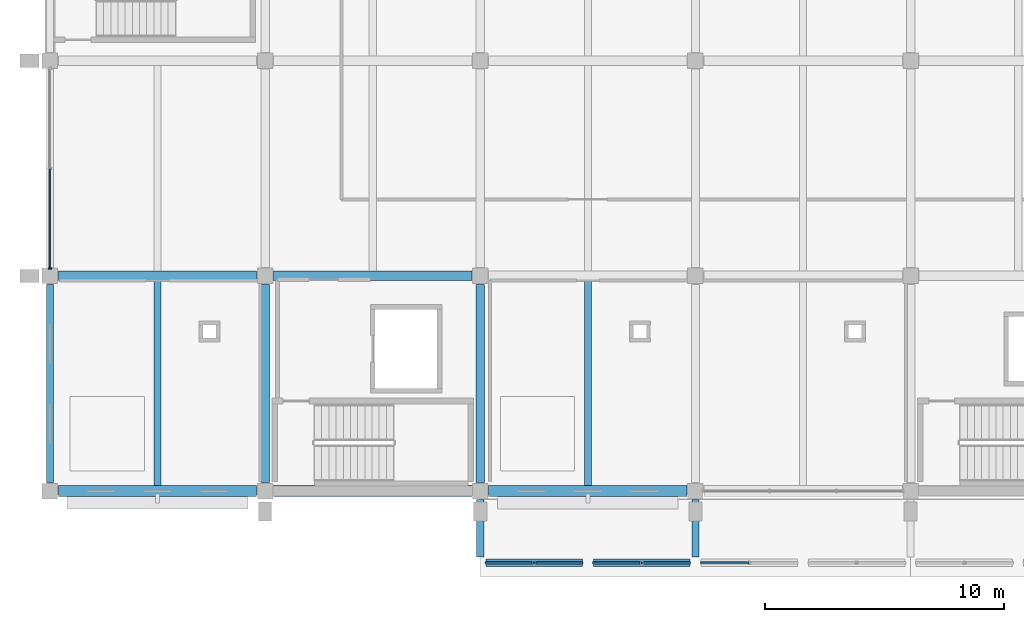
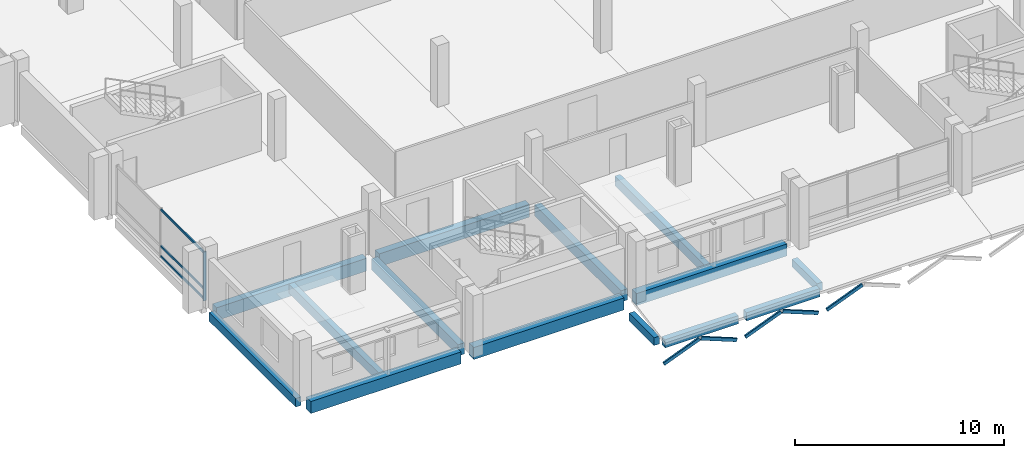
# One storey, part 29 of 132: 14 beams, 9 members, 1 element without a shape of its own.
"""IFC4 building model written with IfcOpenShell, lengths in metres."""

from ifc_helpers import new_model, si_unit, direction, frame, origin, origin_2d, place, context, subcontext, project, spatial, rectangle, hollow_rectangle, extrude, material, material_profile, profile_set, type_object, element, aggregate, save


model = new_model("IFC4")

# Units and contexts
model_context = context("Model", 3, precision=1e-05, world=origin(), true_north=direction((0.0, 1.0)))
body_context = subcontext(model_context, "Body", "Model", "MODEL_VIEW")
ifc_project = project(units=[si_unit("LENGTHUNIT", "METRE"), si_unit("AREAUNIT", "SQUARE_METRE"), si_unit("VOLUMEUNIT", "CUBIC_METRE"), si_unit("PLANEANGLEUNIT", "RADIAN"), si_unit("MASSUNIT", "GRAM", prefix="KILO")], contexts=[model_context])

# Site, building, storey
site_placement = place(None, origin())
site = spatial("IfcSite", under=ifc_project, at=site_placement, CompositionType="ELEMENT")
building_placement = place(site_placement, origin())
building = spatial("IfcBuilding", under=site, at=building_placement, Name="Tharagai Park Tramway Depot", CompositionType="ELEMENT")
storey_placement = place(building_placement, frame((0.0, 0.0, 4.800048828125)))
storey = spatial("IfcBuildingStorey", under=building, at=storey_placement, Name="L01", CompositionType="ELEMENT", Elevation=4.800048828125)

# Beams
ifc_material_1 = material(Name="Concrete M35", Category="concrete")
ifc_material_profile_1 = material_profile(ifc_material_1, rectangle(XDim=0.35009765625, YDim=0.64990234375, at=origin_2d()), Name="RC 350x650")
ifc_profile_set_1 = profile_set([ifc_material_profile_1], Name="Concrete M35")
beam_type_1 = type_object("IfcBeamType", Name="BM-13", PredefinedType="BEAM", material=ifc_profile_set_1)
for number, where, z_axis, x_axis, name in (
    (1, (9.0, 0.35009765625, -0.574951171875), (0.0, 1.0, 0.0), (-1.0, 0.0, 0.0), "L01 Grid Beam BM-13"),
    (2, (18.0, 0.35009765625, -0.574951171875), (0.0, 1.0, 0.0), (-1.0, 0.0, 0.0), "L01 Grid Beam BM-13"),
):
    element("IfcBeam", number, at=place(storey_placement, frame(where, z_axis=z_axis, x_axis=x_axis)), inside=storey, type_object=beam_type_1, Name=name, PredefinedType="BEAM", context=body_context, shape_type="SweptSolid", body=[
        extrude(rectangle(XDim=0.35009765625, YDim=0.64990234375, at=origin_2d()), origin(), (0.0, 0.0, 1.0), 8.2998046875),
    ])
ifc_material_profile_2 = material_profile(ifc_material_1, rectangle(XDim=0.300048828125, YDim=0.449951171875, at=origin_2d()), Name="RC 300x450")
ifc_profile_set_2 = profile_set([ifc_material_profile_2], Name="Concrete M35")
beam_type_2 = type_object("IfcBeamType", Name="BM-14", PredefinedType="BEAM", material=ifc_profile_set_2)
for number, where, z_axis, x_axis, name in (
    (3, (18.0, -2.760009765625, -1.344970703125), (0.0, 1.0, 0.0), (-1.0, 0.0, 0.0), "Gothic Cloister Transverse Tie Beam BM-14"),
    (4, (27.0, -2.760009765625, -1.344970703125), (0.0, 1.0, 0.0), (-1.0, 0.0, 0.0), "Gothic Cloister Transverse Tie Beam BM-14"),
):
    element("IfcBeam", number, at=place(storey_placement, frame(where, z_axis=z_axis, x_axis=x_axis)), inside=storey, type_object=beam_type_2, Name=name, PredefinedType="BEAM", context=body_context, shape_type="SweptSolid", body=[
        extrude(rectangle(XDim=0.300048828125, YDim=0.449951171875, at=origin_2d()), origin(), (0.0, 0.0, 1.0), 2.39990234375),
    ])
ifc_material_profile_3 = material_profile(ifc_material_1, rectangle(XDim=0.39990234375, YDim=0.75, at=origin_2d()), Name="RC 400x750")
ifc_profile_set_3 = profile_set([ifc_material_profile_3], Name="Concrete M35")
beam_type_3 = type_object("IfcBeamType", Name="BM-19", PredefinedType="BEAM", material=ifc_profile_set_3)
for number, where, z_axis, x_axis, name in (
    (5, (0.35009765625, 9.0, -0.625), (1.0, 0.0, 0.0), (0.0, 1.0, 0.0), "L01 Grid Beam BM-19"),
    (6, (9.35009765625, 9.0, -0.625), (1.0, 0.0, 0.0), (0.0, 1.0, 0.0), "L01 Grid Beam BM-19"),
):
    element("IfcBeam", number, at=place(storey_placement, frame(where, z_axis=z_axis, x_axis=x_axis)), inside=storey, type_object=beam_type_3, Name=name, PredefinedType="BEAM", context=body_context, shape_type="SweptSolid", body=[
        extrude(rectangle(XDim=0.39990234375, YDim=0.75, at=origin_2d()), origin(), (0.0, 0.0, 1.0), 8.2998046875),
    ])

# Curtain wall, members
ifc_material_2 = material(Name="Anodised aluminium", Category="aluminium")
curtain_wall_type = type_object("IfcCurtainWallType", Name="CW-07", PredefinedType="NOTDEFINED", material=ifc_material_2)
curtain_wall_placement = place(storey_placement, origin())
curtain_wall = element("IfcCurtainWall", 7, at=curtain_wall_placement, inside=storey, type_object=curtain_wall_type, Name="L01 V4 Side Mullioned Curtain Wall CW-07", PredefinedType="NOTDEFINED")
ifc_material_profile_4 = material_profile(ifc_material_2, rectangle(XDim=0.06494140625, YDim=0.1201171875, at=origin_2d()), Name="ALU 65x120")
ifc_profile_set_4 = profile_set([ifc_material_profile_4], Name="Anodised aluminium")
member_type_1 = type_object("IfcMemberType", Name="CM-01", PredefinedType="USERDEFINED", material=ifc_profile_set_4)
member_1_placement = place(storey_placement, frame((0.0, 9.330078125, 0.06005859375), z_axis=(0.0, 1.0, 0.0), x_axis=(-1.0, 0.0, 0.0)))
member_1 = element("IfcMember", 8, at=member_1_placement, type_object=member_type_1, Name="L01 V4 Side Mullioned Curtain Wall Transom 1.1", ObjectType="TRANSOM", PredefinedType="USERDEFINED", context=body_context, shape_type="SweptSolid", body=[
    extrude(rectangle(XDim=0.06494140625, YDim=0.1201171875, at=origin_2d()), origin(), (0.0, 0.0, 1.0), 4.155029296875),
])
member_2_placement = place(storey_placement, frame((0.0, 9.330078125, 0.64990234375), z_axis=(0.0, 1.0, 0.0), x_axis=(-1.0, 0.0, 0.0)))
member_2 = element("IfcMember", 9, at=member_2_placement, type_object=member_type_1, Name="L01 V4 Side Mullioned Curtain Wall Transom 1.2", ObjectType="TRANSOM", PredefinedType="USERDEFINED", context=body_context, shape_type="SweptSolid", body=[
    extrude(rectangle(XDim=0.06494140625, YDim=0.1201171875, at=origin_2d()), origin(), (0.0, 0.0, 1.0), 4.155029296875),
])
member_3_placement = place(storey_placement, frame((0.0, 9.330078125, 2.77001953125), z_axis=(0.0, 1.0, 0.0), x_axis=(-1.0, 0.0, 0.0)))
member_3 = element("IfcMember", 10, at=member_3_placement, type_object=member_type_1, Name="L01 V4 Side Mullioned Curtain Wall Transom 1.3", ObjectType="TRANSOM", PredefinedType="USERDEFINED", context=body_context, shape_type="SweptSolid", body=[
    extrude(rectangle(XDim=0.06494140625, YDim=0.1201171875, at=origin_2d()), origin(), (0.0, 0.0, 1.0), 4.155029296875),
])
ifc_material_profile_5 = material_profile(ifc_material_2, rectangle(XDim=0.06494140625, YDim=0.14990234375, at=origin_2d()), Name="ALU 65x150")
ifc_profile_set_5 = profile_set([ifc_material_profile_5], Name="Anodised aluminium")
member_type_2 = type_object("IfcMemberType", Name="CM-03", PredefinedType="MULLION", material=ifc_profile_set_5)
member_4_placement = place(storey_placement, frame((0.0, 9.31494140625, -0.005126953125), z_axis=(0.0, 0.0, 1.0), x_axis=(0.0, 1.0, 0.0)))
member_4 = element("IfcMember", 11, at=member_4_placement, type_object=member_type_2, Name="L01 V4 Side Mullioned Curtain Wall Mullion 1", PredefinedType="MULLION", context=body_context, shape_type="SweptSolid", body=[
    extrude(rectangle(XDim=0.06494140625, YDim=0.14990234375, at=origin_2d()), origin(), (0.0, 0.0, 1.0), 2.860107421875),
])
aggregate(curtain_wall, [member_4, member_1, member_2, member_3])

# Beams
ifc_material_profile_6 = material_profile(ifc_material_1, rectangle(XDim=0.300048828125, YDim=0.550048828125, at=origin_2d()), Name="RC 300x550")
ifc_profile_set_6 = profile_set([ifc_material_profile_6], Name="Concrete M35")
beam_type_4 = type_object("IfcBeamType", Name="JT-06", PredefinedType="JOIST", material=ifc_profile_set_6)
for number, where, z_axis, x_axis, name in (
    (12, (4.5, 0.22509765625, -0.525146484375), (0.0, 1.0, 0.0), (-1.0, 0.0, 0.0), "L01 Secondary Joist JT-06"),
    (13, (22.5, 0.22509765625, -0.525146484375), (0.0, 1.0, 0.0), (-1.0, 0.0, 0.0), "L01 Secondary Joist JT-06"),
):
    element("IfcBeam", number, at=place(storey_placement, frame(where, z_axis=z_axis, x_axis=x_axis)), inside=storey, type_object=beam_type_4, Name=name, PredefinedType="JOIST", context=body_context, shape_type="SweptSolid", body=[
        extrude(rectangle(XDim=0.300048828125, YDim=0.550048828125, at=origin_2d()), origin(), (0.0, 0.0, 1.0), 8.574951171875),
    ])

# Members
ifc_material_3 = material(Name="Steel E350", Category="steel")
ifc_material_profile_7 = material_profile(ifc_material_3, hollow_rectangle(XDim=0.10009765625, YDim=0.199951171875, WallThickness=0.006103515625, InnerFilletRadius=0.006103515625, OuterFilletRadius=0.011962890625, at=origin_2d()), Name="RHS 200x100x6")
ifc_profile_set_7 = profile_set([ifc_material_profile_7], Name="Steel E350")
member_type_3 = type_object("IfcMemberType", Name="RF-04", PredefinedType="RAFTER", material=ifc_profile_set_7)
for number, where, z_axis, x_axis, name in (
    (14, (18.239990234375, -3.0, -2.6201171875), (0.929766353739, 0.0, 0.368150142545), (0.0, 1.0, 0.0), "Pointed Gothic Arcade Arch Rib Left RF-04"),
    (15, (22.260009765625, -3.0, -2.6201171875), (-0.929766353739, 0.0, 0.368150142545), (0.0, -1.0, 0.0), "Pointed Gothic Arcade Arch Rib Right RF-04"),
    (16, (22.739990234375, -3.0, -2.6201171875), (0.929766353739, 0.0, 0.368150142545), (0.0, 1.0, 0.0), "Pointed Gothic Arcade Arch Rib Left RF-04"),
    (17, (26.760009765625, -3.0, -2.6201171875), (-0.929766353739, 0.0, 0.368150142545), (0.0, -1.0, 0.0), "Pointed Gothic Arcade Arch Rib Right RF-04"),
    (18, (27.239990234375, -3.0, -2.6201171875), (0.929766353739, 0.0, 0.368150142545), (0.0, 1.0, 0.0), "Pointed Gothic Arcade Arch Rib Left RF-04"),
):
    element("IfcMember", number, at=place(storey_placement, frame(where, z_axis=z_axis, x_axis=x_axis)), inside=storey, type_object=member_type_3, Name=name, PredefinedType="RAFTER", context=body_context, shape_type="SweptSolid", body=[
        extrude(hollow_rectangle(XDim=0.10009765625, YDim=0.199951171875, WallThickness=0.006103515625, InnerFilletRadius=0.006103515625, OuterFilletRadius=0.011962890625, at=origin_2d()), origin(), (0.0, 0.0, 1.0), 2.118896484375),
    ])

# Beams
ifc_material_profile_8 = material_profile(ifc_material_1, rectangle(XDim=0.449951171875, YDim=0.699951171875, at=origin_2d()), Name="RC 450x700")
ifc_profile_set_8 = profile_set([ifc_material_profile_8], Name="Concrete M35")
beam_type_5 = type_object("IfcBeamType", Name="SP-01", PredefinedType="SPANDREL", material=ifc_profile_set_8)
for number, where, z_axis, x_axis, name in (
    (19, (0.35009765625, 0.0, -0.60009765625), (1.0, 0.0, 0.0), (0.0, 1.0, 0.0), "L01 Grid Beam SP-01"),
    (20, (9.35009765625, 0.0, -0.60009765625), (1.0, 0.0, 0.0), (0.0, 1.0, 0.0), "L01 Grid Beam SP-01"),
    (21, (18.35009765625, 0.0, -0.60009765625), (1.0, 0.0, 0.0), (0.0, 1.0, 0.0), "L01 Grid Beam SP-01"),
):
    element("IfcBeam", number, at=place(storey_placement, frame(where, z_axis=z_axis, x_axis=x_axis)), inside=storey, type_object=beam_type_5, Name=name, PredefinedType="SPANDREL", context=body_context, shape_type="SweptSolid", body=[
        extrude(rectangle(XDim=0.449951171875, YDim=0.699951171875, at=origin_2d()), origin(), (0.0, 0.0, 1.0), 8.2998046875),
    ])
ifc_material_profile_9 = material_profile(ifc_material_1, rectangle(XDim=0.300048828125, YDim=0.5, at=origin_2d()), Name="RC 300x500")
ifc_profile_set_9 = profile_set([ifc_material_profile_9], Name="Concrete M35")
beam_type_6 = type_object("IfcBeamType", Name="SP-03", PredefinedType="SPANDREL", material=ifc_profile_set_9)
beam_placement = place(storey_placement, frame((0.0, 0.35009765625, -0.5), z_axis=(0.0, 1.0, 0.0), x_axis=(-1.0, 0.0, 0.0)))
element("IfcBeam", 22, at=beam_placement, inside=storey, type_object=beam_type_6, Name="L01 Grid Beam SP-03", PredefinedType="SPANDREL", context=body_context, shape_type="SweptSolid", body=[
    extrude(rectangle(XDim=0.300048828125, YDim=0.5, at=origin_2d()), origin(), (0.0, 0.0, 1.0), 8.2998046875),
])
ifc_material_profile_10 = material_profile(ifc_material_1, rectangle(XDim=0.320068359375, YDim=0.47998046875, at=origin_2d()), Name="RC 320x480")
ifc_profile_set_10 = profile_set([ifc_material_profile_10], Name="Concrete M35")
beam_type_7 = type_object("IfcBeamType", Name="SP-05", PredefinedType="SPANDREL", material=ifc_profile_set_10)
for number, where, z_axis, x_axis, name in (
    (23, (18.22998046875, -3.0, -1.360107421875), (1.0, 0.0, 0.0), (0.0, 1.0, 0.0), "Gothic Cloister Arcade Spandrel Lintel SP-05"),
    (24, (22.72998046875, -3.0, -1.360107421875), (1.0, 0.0, 0.0), (0.0, 1.0, 0.0), "Gothic Cloister Arcade Spandrel Lintel SP-05"),
):
    element("IfcBeam", number, at=place(storey_placement, frame(where, z_axis=z_axis, x_axis=x_axis)), inside=storey, type_object=beam_type_7, Name=name, PredefinedType="SPANDREL", context=body_context, shape_type="SweptSolid", body=[
        extrude(rectangle(XDim=0.320068359375, YDim=0.47998046875, at=origin_2d()), origin(), (0.0, 0.0, 1.0), 4.0400390625),
    ])

save(model, "model.ifc")
